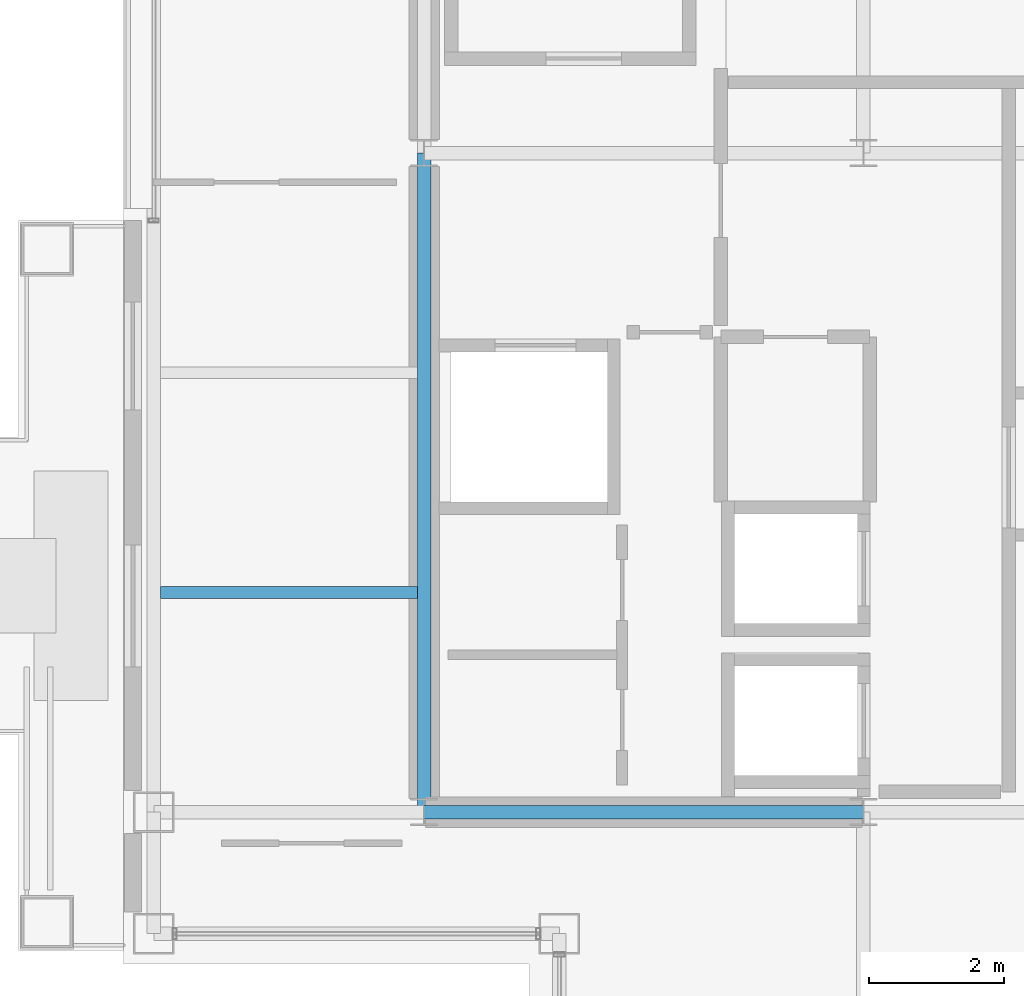
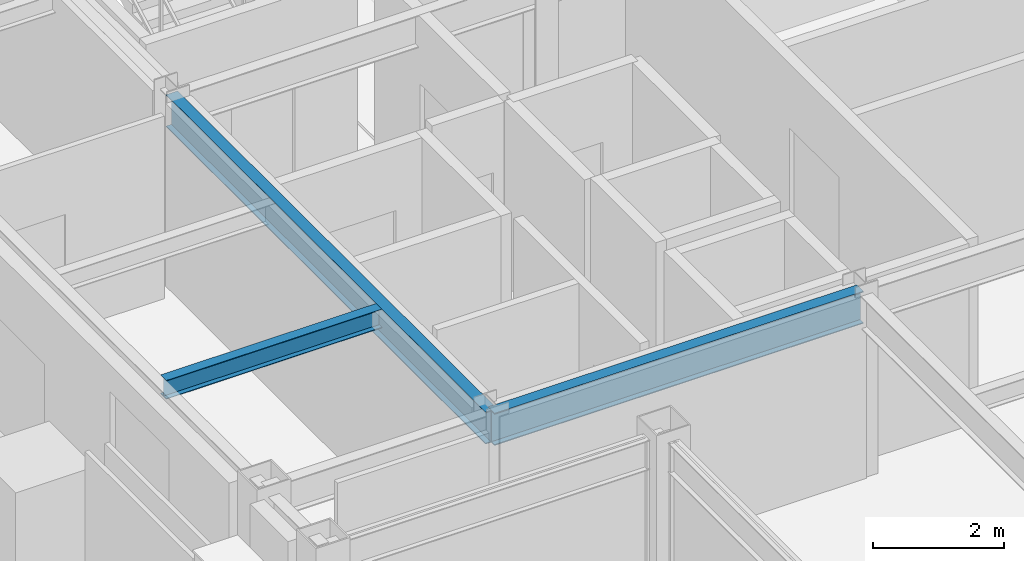
# One storey, part 4 of 27: 3 beams.
"""IFC4 building model written with IfcOpenShell, lengths in metres."""

from ifc_helpers import new_model, si_unit, direction, frame, origin, origin_2d, place, context, subcontext, project, spatial, i_section, extrude, material, material_profile, profile_set, type_object, element, save


model = new_model("IFC4")

# Units and contexts
model_context = context("Model", 3, precision=1e-05, world=origin(), true_north=direction((0.0, 1.0)))
body_context = subcontext(model_context, "Body", "Model", "MODEL_VIEW")
ifc_project = project(units=[si_unit("LENGTHUNIT", "METRE"), si_unit("AREAUNIT", "SQUARE_METRE"), si_unit("VOLUMEUNIT", "CUBIC_METRE"), si_unit("PLANEANGLEUNIT", "RADIAN"), si_unit("MASSUNIT", "GRAM", prefix="KILO")], contexts=[model_context])

# Site, building, storey
site_placement = place(None, origin())
site = spatial("IfcSite", under=ifc_project, at=site_placement, CompositionType="ELEMENT")
building_placement = place(site_placement, origin())
building = spatial("IfcBuilding", under=site, at=building_placement, Name="Brelmoor Portico Tower", CompositionType="ELEMENT")
storey_placement = place(building_placement, frame((0.0, 0.0, 258.0)))
storey = spatial("IfcBuildingStorey", under=building, at=storey_placement, Name="L68", CompositionType="ELEMENT", Elevation=258.0)

# Beams
ifc_material = material(Name="Steel Q355B", Category="steel")
ifc_material_profile_1 = material_profile(ifc_material, i_section(OverallWidth=0.175048828125, OverallDepth=0.35009765625, WebThickness=0.007080078125, FlangeThickness=0.010986328125, at=origin_2d()), Name="HN 350x175x7x11")
ifc_profile_set_1 = profile_set([ifc_material_profile_1], Name="Steel Q355B")
beam_type_1 = type_object("IfcBeamType", Name="BM-JS-350", PredefinedType="JOIST", material=ifc_profile_set_1)
beam_1_placement = place(storey_placement, frame((-18.449951171875, -6.5, 3.22509765625), z_axis=(1.0, 0.0, 0.0), x_axis=(0.0, 1.0, 0.0)))
element("IfcBeam", 1, at=beam_1_placement, inside=storey, type_object=beam_type_1, Name="L68 Secondary Wing Joist JS-W07", PredefinedType="JOIST", context=body_context, shape_type="SweptSolid", body=[
    extrude(i_section(OverallWidth=0.175048828125, OverallDepth=0.35009765625, WebThickness=0.007080078125, FlangeThickness=0.010986328125, at=origin_2d()), origin(), (0.0, 0.0, 1.0), 3.800048828125),
])
ifc_material_profile_2 = material_profile(ifc_material, i_section(OverallWidth=0.199951171875, OverallDepth=0.60009765625, WebThickness=0.010986328125, FlangeThickness=0.01708984375, at=origin_2d()), Name="HN 600x200x11x17")
ifc_profile_set_2 = profile_set([ifc_material_profile_2], Name="Steel Q355B")
beam_type_2 = type_object("IfcBeamType", Name="BM-PG-600", PredefinedType="BEAM", material=ifc_profile_set_2)
beam_2_placement = place(storey_placement, frame((-14.550048828125, -9.75, 3.10009765625), z_axis=(0.0, 1.0, 0.0), x_axis=(-1.0, 0.0, 0.0)))
element("IfcBeam", 2, at=beam_2_placement, inside=storey, type_object=beam_type_2, Name="L68 Primary Floor Girder PG-01", PredefinedType="BEAM", context=body_context, shape_type="SweptSolid", body=[
    extrude(i_section(OverallWidth=0.199951171875, OverallDepth=0.60009765625, WebThickness=0.010986328125, FlangeThickness=0.01708984375, at=origin_2d()), origin(), (0.0, 0.0, 1.0), 9.75),
])
beam_3_placement = place(storey_placement, frame((-14.550048828125, -9.75, 3.10009765625), z_axis=(1.0, 0.0, 0.0), x_axis=(0.0, 1.0, 0.0)))
element("IfcBeam", 3, at=beam_3_placement, inside=storey, type_object=beam_type_2, Name="L68 Primary Floor Girder PG-12", PredefinedType="BEAM", context=body_context, shape_type="SweptSolid", body=[
    extrude(i_section(OverallWidth=0.199951171875, OverallDepth=0.60009765625, WebThickness=0.010986328125, FlangeThickness=0.01708984375, at=origin_2d()), origin(), (0.0, 0.0, 1.0), 6.5),
])

save(model, "model.ifc")
